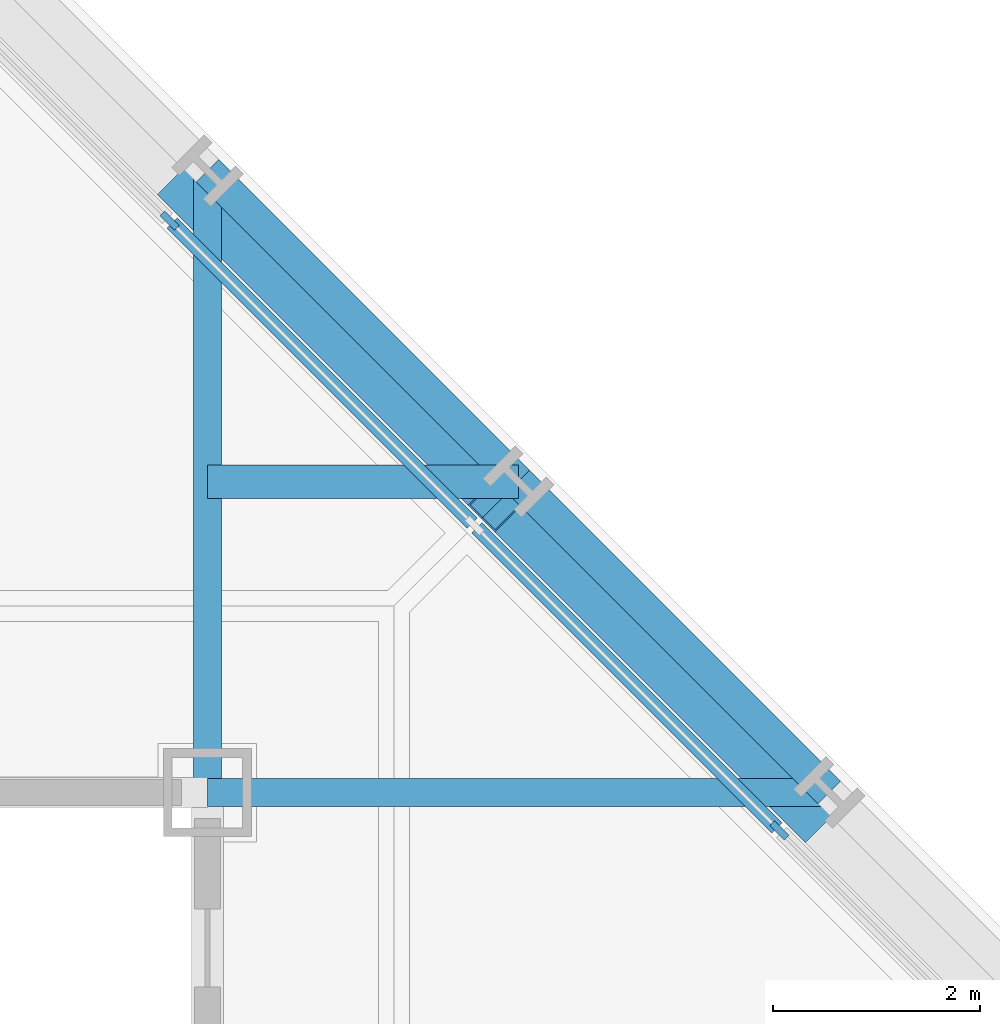
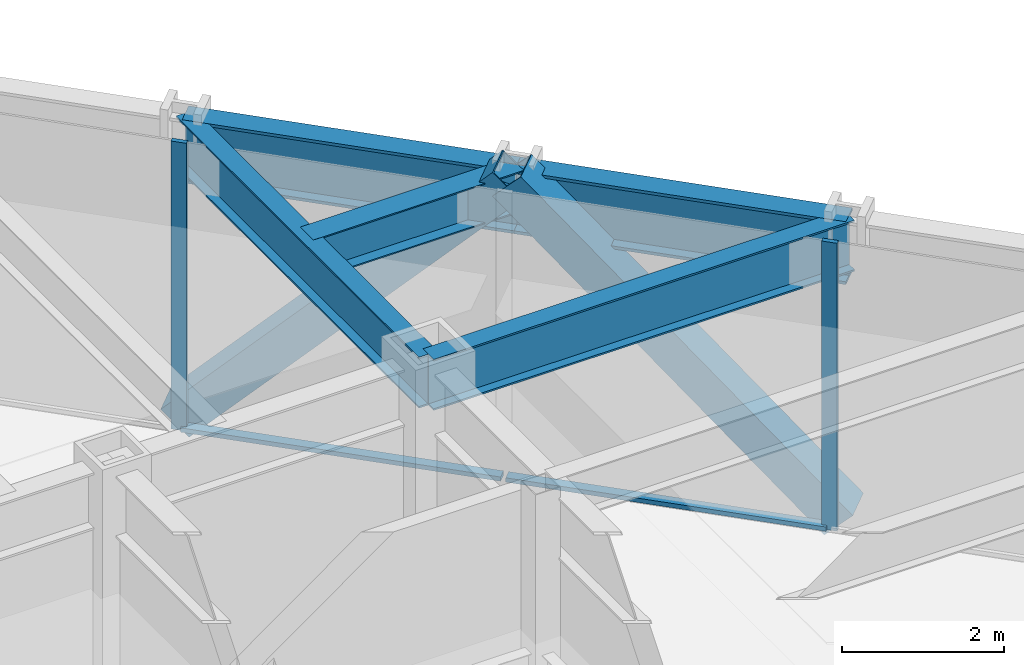
# One storey, part 8 of 26: 6 members, 5 beams, 1 element without a shape of its own.
"""IFC4 building model written with IfcOpenShell, lengths in metres."""

from ifc_helpers import new_model, si_unit, direction, frame, origin, origin_2d, place, context, subcontext, project, spatial, rectangle, hollow_rectangle, i_section, extrude, material, layer, layer_set, material_profile, profile_set, type_object, element, aggregate, save


model = new_model("IFC4")

# Units and contexts
model_context = context("Model", 3, precision=1e-05, world=origin(), true_north=direction((0.0, 1.0)))
body_context = subcontext(model_context, "Body", "Model", "MODEL_VIEW")
ifc_project = project(units=[si_unit("LENGTHUNIT", "METRE"), si_unit("AREAUNIT", "SQUARE_METRE"), si_unit("VOLUMEUNIT", "CUBIC_METRE"), si_unit("PLANEANGLEUNIT", "RADIAN"), si_unit("MASSUNIT", "GRAM", prefix="KILO")], contexts=[model_context])

# Site, building, storey
site_placement = place(None, origin())
site = spatial("IfcSite", under=ifc_project, at=site_placement, CompositionType="ELEMENT")
building_placement = place(site_placement, origin())
building = spatial("IfcBuilding", under=site, at=building_placement, Name="Chuquiago Exchange Tower", CompositionType="ELEMENT")
storey_placement = place(building_placement, frame((0.0, 0.0, 102.300048828125)))
storey = spatial("IfcBuildingStorey", under=building, at=storey_placement, Name="L21", CompositionType="ELEMENT", Elevation=102.300048828125)

# Beam
ifc_material_1 = material(Name="Steel ASTM A992", Category="steel")
ifc_material_profile_1 = material_profile(ifc_material_1, i_section(OverallWidth=0.3251953125, OverallDepth=0.612060546875, WebThickness=0.0126953125, FlangeThickness=0.01904296875, at=origin_2d()), Name="W24X104")
ifc_profile_set_1 = profile_set([ifc_material_profile_1], Name="Steel ASTM A992")
beam_type_1 = type_object("IfcBeamType", Name="B2 W24X104", PredefinedType="BEAM", material=ifc_profile_set_1)
beam_placement = place(storey_placement, frame((33.0, 36.0, 4.033935546875), z_axis=(1.0, 0.0, 0.0), x_axis=(0.0, 1.0, 0.0)))
element("IfcBeam", 1, at=beam_placement, inside=storey, type_object=beam_type_1, Name="FB-L22-corner-33_36-36_36-0", PredefinedType="BEAM", context=body_context, shape_type="SweptSolid", body=[
    extrude(i_section(OverallWidth=0.3251953125, OverallDepth=0.612060546875, WebThickness=0.0126953125, FlangeThickness=0.01904296875, at=origin_2d()), origin(), (0.0, 0.0, 1.0), 3.0),
])

# Curtain wall, members
ifc_material_2 = material(Name="Aluminium curtain wall system", Category="aluminium")
ifc_layer = layer(ifc_material_2, 0.199951171875)
ifc_layer_set = layer_set([ifc_layer], Name="CW3 facet curtain wall")
curtain_wall_type = type_object("IfcCurtainWallType", Name="CW3 facet curtain wall", PredefinedType="NOTDEFINED", material=ifc_layer_set)
curtain_wall_placement = place(storey_placement, origin())
curtain_wall = element("IfcCurtainWall", 2, at=curtain_wall_placement, inside=storey, type_object=curtain_wall_type, Name="CW3 curtain wall L21", PredefinedType="NOTDEFINED")
ifc_material_3 = material(Name="Aluminium mullion, pale anodised", Category="aluminium")
ifc_material_profile_2 = material_profile(ifc_material_3, rectangle(XDim=0.06494140625, YDim=0.199951171875, at=origin_2d()), Name="AL 65x200")
ifc_profile_set_2 = profile_set([ifc_material_profile_2], Name="Aluminium mullion, pale anodised")
member_type_1 = type_object("IfcMemberType", Name="CW3-M mullion 65x200", PredefinedType="MULLION", material=ifc_profile_set_2)
member_1_placement = place(storey_placement, frame((38.51708984375, 32.63427734375, 0.0), z_axis=(0.0, 0.0, 1.0), x_axis=(-0.707106781187, -0.707106781187, 0.0)))
member_1 = element("IfcMember", 3, at=member_1_placement, type_object=member_type_1, Name="CW3 mullion 3", PredefinedType="MULLION", context=body_context, shape_type="SweptSolid", body=[
    extrude(rectangle(XDim=0.06494140625, YDim=0.199951171875, at=origin_2d()), origin(), (0.0, 0.0, 1.0), 4.33984375),
])
member_2_placement = place(storey_placement, frame((32.63427734375, 38.51708984375, 0.0), z_axis=(0.0, 0.0, 1.0), x_axis=(-0.707106781187, -0.707106781187, 0.0)))
member_2 = element("IfcMember", 4, at=member_2_placement, type_object=member_type_1, Name="CW3 mullion 5", PredefinedType="MULLION", context=body_context, shape_type="SweptSolid", body=[
    extrude(rectangle(XDim=0.06494140625, YDim=0.199951171875, at=origin_2d()), origin(), (0.0, 0.0, 1.0), 4.33984375),
])
ifc_material_4 = material(Name="Aluminium transom, pale anodised", Category="aluminium")
ifc_material_profile_3 = material_profile(ifc_material_4, rectangle(XDim=0.139892578125, YDim=0.06494140625, at=origin_2d()), Name="AL 140x65")
ifc_profile_set_3 = profile_set([ifc_material_profile_3], Name="Aluminium transom, pale anodised")
member_type_2 = type_object("IfcMemberType", Name="CW3-T transom 65x140", PredefinedType="MULLION", material=ifc_profile_set_3)
member_3_placement = place(storey_placement, frame((38.494140625, 32.6572265625, 0.032470703125), z_axis=(-0.707106781187, 0.707106781187, 0.0), x_axis=(-0.707106781187, -0.707106781187, 0.0)))
member_3 = element("IfcMember", 5, at=member_3_placement, type_object=member_type_2, Name="CW3 transom 3.1", PredefinedType="MULLION", context=body_context, shape_type="SweptSolid", body=[
    extrude(rectangle(XDim=0.139892578125, YDim=0.06494140625, at=origin_2d()), origin(), (0.0, 0.0, 1.0), 4.094970703125),
])
member_4_placement = place(storey_placement, frame((35.552734375, 35.5986328125, 0.032470703125), z_axis=(-0.707106781187, 0.707106781187, 0.0), x_axis=(-0.707106781187, -0.707106781187, 0.0)))
member_4 = element("IfcMember", 6, at=member_4_placement, type_object=member_type_2, Name="CW3 transom 4.1", PredefinedType="MULLION", context=body_context, shape_type="SweptSolid", body=[
    extrude(rectangle(XDim=0.139892578125, YDim=0.06494140625, at=origin_2d()), origin(), (0.0, 0.0, 1.0), 4.094970703125),
])
aggregate(curtain_wall, [member_1, member_2, member_3, member_4])

# Beams
ifc_material_5 = material(Name="Steel ASTM A992", Category="steel")
ifc_material_profile_4 = material_profile(ifc_material_5, i_section(OverallWidth=0.2666015625, OverallDepth=0.76953125, WebThickness=0.015625, FlangeThickness=0.025390625, at=origin_2d()), Name="W30X132")
ifc_profile_set_4 = profile_set([ifc_material_profile_4], Name="Steel ASTM A992")
beam_type_2 = type_object("IfcBeamType", Name="G1 W30X132", PredefinedType="BEAM", material=ifc_profile_set_4)
for number, where, z_axis, x_axis, name in (
    (7, (33.0, 33.0, 3.955078125), (0.0, 1.0, 0.0), (-1.0, 0.0, 0.0), "FB-L22-girder-33_33-33_39-0"),
    (8, (33.0, 33.0, 3.955078125), (1.0, 0.0, 0.0), (0.0, 1.0, 0.0), "FB-L22-girder-33_33-39_33-0"),
):
    element("IfcBeam", number, at=place(storey_placement, frame(where, z_axis=z_axis, x_axis=x_axis)), inside=storey, type_object=beam_type_2, Name=name, PredefinedType="BEAM", context=body_context, shape_type="SweptSolid", body=[
        extrude(i_section(OverallWidth=0.2666015625, OverallDepth=0.76953125, WebThickness=0.015625, FlangeThickness=0.025390625, at=origin_2d()), origin(), (0.0, 0.0, 1.0), 6.0),
    ])

# Members
ifc_material_6 = material(Name="Steel ASTM A500 Grade C", Category="steel")
ifc_material_profile_5 = material_profile(ifc_material_6, hollow_rectangle(XDim=0.508056640625, YDim=0.508056640625, WallThickness=0.017822265625, at=origin_2d()), Name="HSS20X20X3/4")
ifc_profile_set_5 = profile_set([ifc_material_profile_5], Name="Steel ASTM A500 Grade C")
member_type_3 = type_object("IfcMemberType", Name="LB1 HSS20X20X3/4", PredefinedType="BRACE", material=ifc_profile_set_5)
for number, where, z_axis, x_axis, name in (
    (9, (38.822509765625, 32.822509765625, 0.0), (-0.494305423695, 0.494305423695, 0.715069434538), (-0.707106781187, -0.707106781187, 0.0), "LB-L21-39_33-36_36"),
    (10, (32.822509765625, 38.822509765625, 0.0), (0.494305423695, -0.494305423695, 0.715069434538), (0.707106781187, 0.707106781187, 0.0), "LB-L21-36_36-33_39"),
):
    element("IfcMember", number, at=place(storey_placement, frame(where, z_axis=z_axis, x_axis=x_axis)), inside=storey, type_object=member_type_3, Name=name, PredefinedType="BRACE", context=body_context, shape_type="SweptSolid", body=[
        extrude(hollow_rectangle(XDim=0.508056640625, YDim=0.508056640625, WallThickness=0.017822265625, at=origin_2d()), origin(), (0.0, 0.0, 1.0), 6.069091796875),
    ])

# Beams
ifc_material_7 = material(Name="Steel ASTM A992", Category="steel")
ifc_material_profile_6 = material_profile(ifc_material_7, i_section(OverallWidth=0.309814453125, OverallDepth=0.949951171875, WebThickness=0.0244140625, FlangeThickness=0.0439453125, at=origin_2d()), Name="W36X256")
ifc_profile_set_6 = profile_set([ifc_material_profile_6], Name="Steel ASTM A992")
beam_type_3 = type_object("IfcBeamType", Name="SP2 W36X256", PredefinedType="SPANDREL", material=ifc_profile_set_6)
for number, where, z_axis, x_axis, name in (
    (11, (39.0, 33.0, 3.864990234375), (-0.707106781187, 0.707106781187, 0.0), (-0.707106781187, -0.707106781187, 0.0), "SPB-L22-39_33-36_36"),
    (12, (36.0, 36.0, 3.864990234375), (-0.707106781187, 0.707106781187, 0.0), (-0.707106781187, -0.707106781187, 0.0), "SPB-L22-36_36-33_39"),
):
    element("IfcBeam", number, at=place(storey_placement, frame(where, z_axis=z_axis, x_axis=x_axis)), inside=storey, type_object=beam_type_3, Name=name, PredefinedType="SPANDREL", context=body_context, shape_type="SweptSolid", body=[
        extrude(i_section(OverallWidth=0.309814453125, OverallDepth=0.949951171875, WebThickness=0.0244140625, FlangeThickness=0.0439453125, at=origin_2d()), origin(), (0.0, 0.0, 1.0), 4.24267578125),
    ])

save(model, "model.ifc")
